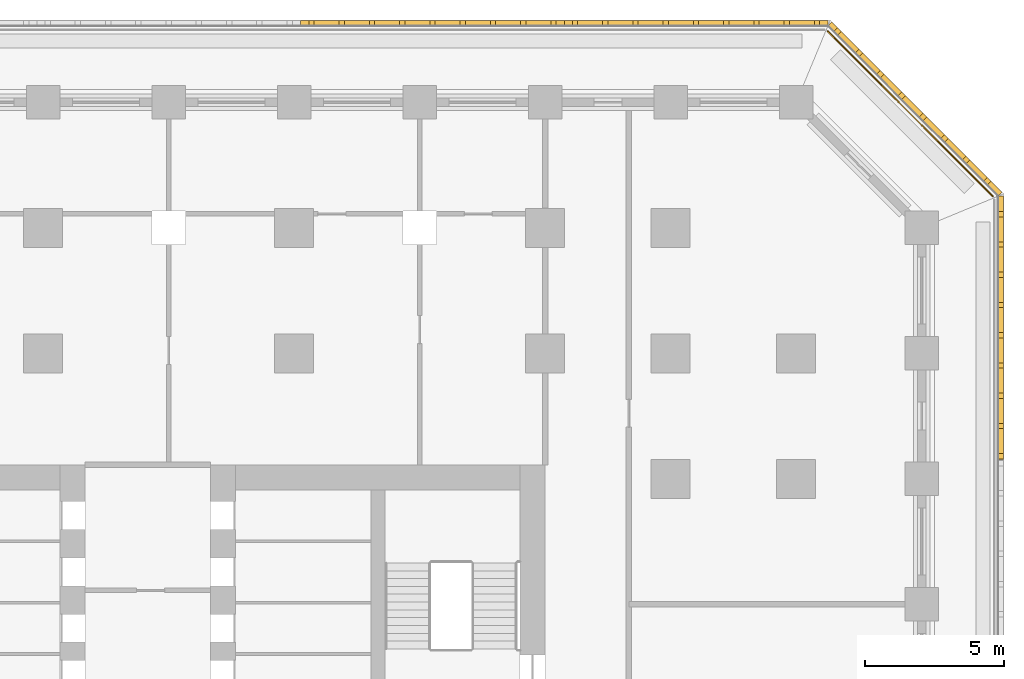
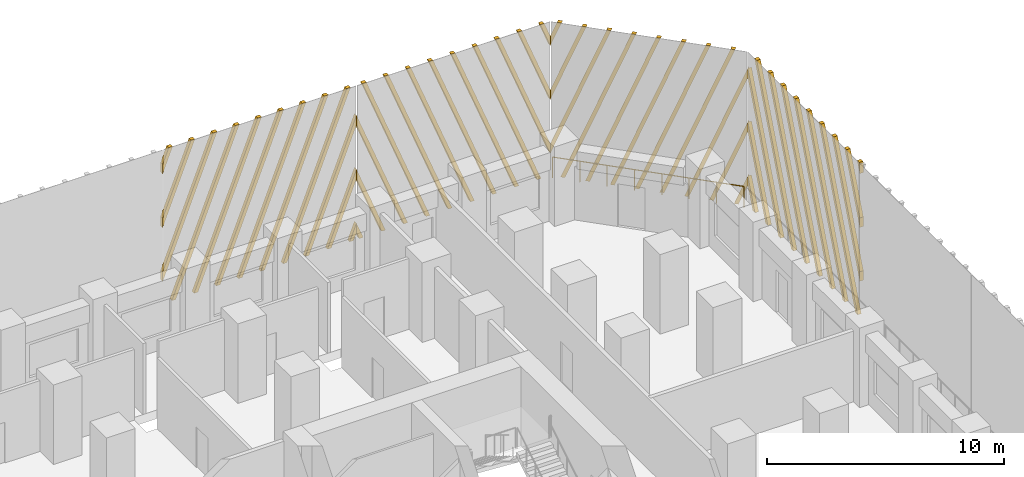
# One storey, part 18 of 19: 4 shading devices, 1 railing.
"""IFC4 building model written with IfcOpenShell, lengths in metres."""

import ifcopenshell
import ifcopenshell.guid

model = None  # the IFC model being written
_history = None  # IfcOwnerHistory: only IFC2X3 demands one
_inside = {}  # id of a spatial element -> (the spatial element, [elements in it])
_under = {}  # id of a project, library or spatial element -> (it, [spatial elements below it])
_declared = {}  # id of a project -> (the project, [libraries it declares])
_typed = {}  # id of a type object -> (the type object, [elements of that type])
_made_of = {}  # id of a material, layer set ... -> (it, [elements and type objects made of it])


def new_model(schema):
    """Start an empty IFC model of exactly this schema.

    Asked for "IFC4X3", IfcOpenShell would pick the latest addendum, in which some entities
    have other attributes; the version numbers below select the first issue.
    IFC2X3 requires an IfcOwnerHistory on every rooted entity: one is made here for all.
    """
    global model, _history
    if schema == "IFC4X3":
        model = ifcopenshell.file(schema_version=(4, 3, 0, 0))
    else:
        model = ifcopenshell.file(schema=schema)
    _inside.clear()
    _under.clear()
    _declared.clear()
    _typed.clear()
    _made_of.clear()
    _history = None
    if model.schema == "IFC2X3":
        org = make("IfcOrganization", Name="unknown")
        user = make(
            "IfcPersonAndOrganization",
            ThePerson=make("IfcPerson", FamilyName="unknown"),
            TheOrganization=org,
        )
        app = make(
            "IfcApplication",
            ApplicationDeveloper=org,
            Version="unknown",
            ApplicationFullName="unknown",
            ApplicationIdentifier="unknown",
        )
        _history = make(
            "IfcOwnerHistory",
            OwningUser=user,
            OwningApplication=app,
            ChangeAction="ADDED",
            CreationDate=0,
        )
    return model


def make(cls, **values):
    """One entity of the class cls with the attributes given. An attribute that is None is left unset."""
    return model.create_entity(
        cls, **{name: value for name, value in values.items() if value is not None}
    )


def rooted(cls, **values):
    """An entity with a GlobalId (a new one), such as an element, a storey or a relation."""
    return make(cls, GlobalId=ifcopenshell.guid.new(), OwnerHistory=_history, **values)


def si_unit(unit_type, name, prefix=None):
    """IfcSIUnit, for example si_unit("LENGTHUNIT", "METRE", prefix="MILLI")."""
    return make("IfcSIUnit", UnitType=unit_type, Prefix=prefix, Name=name)


def assignment(units):
    """IfcUnitAssignment: the units of a project."""
    return None if units is None else make("IfcUnitAssignment", Units=units)


def point(xyz):
    """IfcCartesianPoint."""
    return None if xyz is None else make("IfcCartesianPoint", Coordinates=xyz)


def direction(xyz):
    """IfcDirection."""
    return None if xyz is None else make("IfcDirection", DirectionRatios=xyz)


def frame(location, z_axis=None, x_axis=None):
    """IfcAxis2Placement3D, a coordinate frame: its origin and axes. An axis left out is left unset."""
    return make(
        "IfcAxis2Placement3D",
        Location=point(location),
        Axis=direction(z_axis),
        RefDirection=direction(x_axis),
    )


def frame_2d(location, x_axis=None):
    """IfcAxis2Placement2D, a coordinate frame in the plane: its origin and x axis."""
    return make(
        "IfcAxis2Placement2D", Location=point(location), RefDirection=direction(x_axis)
    )


def origin():
    """The frame at (0, 0, 0) with its axes left unset."""
    return frame((0.0, 0.0, 0.0))


def origin_2d():
    """The frame at (0, 0) in the plane with its x axis left unset."""
    return frame_2d((0.0, 0.0))


def place(relative_to, where):
    """IfcLocalPlacement: puts the frame where relative to a parent placement (None: the world)."""
    return make(
        "IfcLocalPlacement", PlacementRelTo=relative_to, RelativePlacement=where
    )


def context(
    kind, dimensions, precision=None, world=None, true_north=None, identifier=None
):
    """IfcGeometricRepresentationContext, for example the 3D "Model" context."""
    return make(
        "IfcGeometricRepresentationContext",
        ContextIdentifier=identifier,
        ContextType=kind,
        CoordinateSpaceDimension=dimensions,
        Precision=precision,
        WorldCoordinateSystem=world,
        TrueNorth=true_north,
    )


def subcontext(parent, identifier, kind, view, scale=None):
    """IfcGeometricRepresentationSubContext, for example "Body" below "Model"."""
    return make(
        "IfcGeometricRepresentationSubContext",
        ContextIdentifier=identifier,
        ContextType=kind,
        ParentContext=parent,
        TargetScale=scale,
        TargetView=view,
    )


def project(units=None, contexts=None):
    """IfcProject with its units and contexts."""
    return rooted(
        "IfcProject",
        Name="project",
        RepresentationContexts=contexts,
        UnitsInContext=assignment(units),
    )


def spatial(cls, under=None, at=None, **own):
    """A site, building, storey or space (cls), placed at a placement, below another one or the project."""
    s = rooted(cls, ObjectPlacement=at, **own)
    if under is not None:
        _under.setdefault(under.id(), (under, []))[1].append(s)
    return s


def polyline(points):
    """IfcPolyline through the points."""
    return make("IfcPolyline", Points=[point(p) for p in points])


def profile(cls, at=None, kind="AREA", **sizes):
    """A parametric profile (cls). Its sizes go by their IFC names, for example OverallWidth=200.0."""
    return make(cls, ProfileType=kind, Position=at, **sizes)


def circle(**sizes):
    """IfcCircleProfileDef."""
    return profile("IfcCircleProfileDef", **sizes)


def outline(outer, holes=None, kind="AREA"):
    """IfcArbitraryClosedProfileDef: a profile drawn as a closed curve; with holes, ...WithVoids."""
    if holes is None:
        return make("IfcArbitraryClosedProfileDef", ProfileType=kind, OuterCurve=outer)
    return make(
        "IfcArbitraryProfileDefWithVoids",
        ProfileType=kind,
        OuterCurve=outer,
        InnerCurves=holes,
    )


def extrude(swept, where, along, depth):
    """IfcExtrudedAreaSolid: the profile swept, set in the frame where, extruded along a direction by depth."""
    return make(
        "IfcExtrudedAreaSolid",
        SweptArea=swept,
        Position=where,
        ExtrudedDirection=direction(along),
        Depth=depth,
    )


def shape(context_of_items, identifier, shape_type, items):
    """IfcShapeRepresentation: the items that make up one representation, for example the "Body"."""
    return make(
        "IfcShapeRepresentation",
        ContextOfItems=context_of_items,
        RepresentationIdentifier=identifier,
        RepresentationType=shape_type,
        Items=items,
    )


def source(mapping_origin, context_of_items, identifier, shape_type, items):
    """IfcRepresentationMap: a shape defined once, which mapped items show again and again."""
    return make(
        "IfcRepresentationMap",
        MappingOrigin=mapping_origin,
        MappedRepresentation=shape(context_of_items, identifier, shape_type, items),
    )


def transform(
    local_origin,
    x_axis=None,
    y_axis=None,
    z_axis=None,
    scale=None,
    scale2=None,
    scale3=None,
    uniform=True,
):
    """IfcCartesianTransformationOperator3D, or its non-uniform kind. x_axis, y_axis, z_axis: its Axis1, 2, 3."""
    if uniform:
        return make(
            "IfcCartesianTransformationOperator3D",
            Axis1=direction(x_axis),
            Axis2=direction(y_axis),
            LocalOrigin=point(local_origin),
            Scale=scale,
            Axis3=direction(z_axis),
        )
    return make(
        "IfcCartesianTransformationOperator3DnonUniform",
        Axis1=direction(x_axis),
        Axis2=direction(y_axis),
        LocalOrigin=point(local_origin),
        Scale=scale,
        Axis3=direction(z_axis),
        Scale2=scale2,
        Scale3=scale3,
    )


def mapped(mapping_source, mapping_target):
    """IfcMappedItem: shows the shape of a source again, moved by a transform."""
    return make(
        "IfcMappedItem", MappingSource=mapping_source, MappingTarget=mapping_target
    )


def material(Name=None, Category=None):
    """IfcMaterial."""
    return make("IfcMaterial", Name=Name, Category=Category)


def made_of(thing, what):
    """Note that an element or type object is made of a material, layer set ...; save() writes the relation."""
    if what is not None:
        _made_of.setdefault(what.id(), (what, []))[1].append(thing)
    return thing


def type_object(cls, material=None, **own):
    """A type object (cls), such as IfcWallType, which elements share."""
    return made_of(rooted(cls, **own), material)


def element(
    cls,
    number,
    at=None,
    inside=None,
    cuts=None,
    type_object=None,
    material=None,
    context=None,
    identifier="Body",
    shape_type=None,
    held_by="IfcProductDefinitionShape",
    body=None,
    shapes=None,
    **own,
):
    """One element of the class cls, such as IfcWall. Its Tag is "e" and its number.

    at: its placement. inside: the storey or other place that contains it. cuts: it is an
    opening in that element (IfcRelVoidsElement). A single representation is given by context,
    identifier, shape_type and body (its items); several are given by shapes. held_by: the class
    of the entity that holds the representations. save() writes the other relations.
    """
    e = rooted(cls, Tag="e%d" % number, ObjectPlacement=at, **own)
    if body is not None:
        shapes = [shape(context, identifier, shape_type, body)]
    if shapes is not None:
        e.Representation = make(held_by, Representations=shapes)
    if inside is not None:
        _inside.setdefault(inside.id(), (inside, []))[1].append(e)
    if cuts is not None:
        rooted(
            "IfcRelVoidsElement", RelatingBuildingElement=cuts, RelatedOpeningElement=e
        )
    if type_object is not None:
        _typed.setdefault(type_object.id(), (type_object, []))[1].append(e)
    return made_of(e, material)


def aggregate(whole, parts):
    """IfcRelAggregates: a whole, such as a stair, and the parts it consists of."""
    return rooted("IfcRelAggregates", RelatingObject=whole, RelatedObjects=parts)


def save(model, path):
    """Write the relations noted so far, then the file.

    IfcRelAggregates (storeys below a building ...), IfcRelContainedInSpatialStructure (elements
    in a storey), IfcRelDefinesByType, IfcRelAssociatesMaterial and IfcRelDeclares: one each for
    every whole, place, type object, material and project.
    """
    for whole, parts in _under.values():
        aggregate(whole, parts)
    for where, things in _inside.values():
        rooted(
            "IfcRelContainedInSpatialStructure",
            RelatedElements=things,
            RelatingStructure=where,
        )
    for kind, things in _typed.values():
        rooted("IfcRelDefinesByType", RelatedObjects=things, RelatingType=kind)
    for what, things in _made_of.values():
        rooted("IfcRelAssociatesMaterial", RelatedObjects=things, RelatingMaterial=what)
    for by, libraries in _declared.values():
        rooted("IfcRelDeclares", RelatingContext=by, RelatedDefinitions=libraries)
    model.write(path)


model = new_model("IFC4")

# Units and contexts
model_context = context("Model", 3, precision=1e-05, world=origin(), true_north=direction((0.0, 1.0)))
body_context = subcontext(model_context, "Body", "Model", "MODEL_VIEW")
ifc_project = project(units=[si_unit("LENGTHUNIT", "METRE"), si_unit("AREAUNIT", "SQUARE_METRE"), si_unit("VOLUMEUNIT", "CUBIC_METRE"), si_unit("PLANEANGLEUNIT", "RADIAN"), si_unit("MASSUNIT", "GRAM", prefix="KILO")], contexts=[model_context])

# Site, building, storey
site_placement = place(None, origin())
site = spatial("IfcSite", under=ifc_project, at=site_placement, CompositionType="ELEMENT")
building_placement = place(site_placement, origin())
building = spatial("IfcBuilding", under=site, at=building_placement, Name="Corbel Stack Research Tower", CompositionType="ELEMENT")
storey_placement = place(building_placement, frame((0.0, 0.0, 82.0)))
storey = spatial("IfcBuildingStorey", under=building, at=storey_placement, Name="L18", CompositionType="ELEMENT", Elevation=82.0)

# Railing
ifc_material_1 = material(Name="Powder-coated steel guard", Category="steel")
railing_type = type_object("IfcRailingType", Name="Steel and glass guard 1100", PredefinedType="GUARDRAIL", material=ifc_material_1)
railing_placement = place(storey_placement, frame((34.04931640625, 28.127685546875, 0.0)))
element("IfcRailing", 1, at=railing_placement, inside=storey, type_object=railing_type, Name="Loggia guard L18 NE", PredefinedType="GUARDRAIL", context=body_context, shape_type="SweptSolid", body=[
    extrude(circle(Radius=0.02392578125, at=origin_2d()), frame((0.0, 0.0, 1.076171875), z_axis=(-0.707106781187, 0.707106781187, 0.0), x_axis=(-0.707106781187, -0.707106781187, 0.0)), (0.0, 0.0, 1.0), 8.37451171875),
    extrude(circle(Radius=0.02099609375, at=origin_2d()), origin(), (0.0, 0.0, 1.0), 1.052001953125),
    extrude(circle(Radius=0.02099609375, at=origin_2d()), frame((-0.845947265625, 0.845947265625, 0.0)), (0.0, 0.0, 1.0), 1.052001953125),
    extrude(circle(Radius=0.02099609375, at=origin_2d()), frame((-1.69189453125, 1.69189453125, 0.0)), (0.0, 0.0, 1.0), 1.052001953125),
    extrude(circle(Radius=0.02099609375, at=origin_2d()), frame((-2.537841796875, 2.537841796875, 0.0)), (0.0, 0.0, 1.0), 1.052001953125),
    extrude(circle(Radius=0.02099609375, at=origin_2d()), frame((-3.3837890625, 3.3837890625, 0.0)), (0.0, 0.0, 1.0), 1.052001953125),
    extrude(circle(Radius=0.02099609375, at=origin_2d()), frame((-4.229736328125, 4.229736328125, 0.0)), (0.0, 0.0, 1.0), 1.052001953125),
    extrude(circle(Radius=0.02099609375, at=origin_2d()), frame((-5.07568359375, 5.07568359375, 0.0)), (0.0, 0.0, 1.0), 1.052001953125),
    extrude(circle(Radius=0.02099609375, at=origin_2d()), frame((-5.921630859375, 5.921630859375, 0.0)), (0.0, 0.0, 1.0), 1.052001953125),
])

# Shading devices
ifc_material_2 = material(Name="Precast terracotta", Category="masonry")
shading_device_type = type_object("IfcShadingDeviceType", Name="Terracotta screen panel", PredefinedType="USERDEFINED", material=ifc_material_2)
shared_shape_1 = source(origin(), body_context, "Body", "SweptSolid", [
    extrude(outline(polyline([(0.217041015625, 7.949951171875), (0.027099609375, 7.949951171875), (0.0, 7.880859375), (0.0, 7.394287109375), (0.217041015625, 7.949951171875)])), frame((0.0, 0.0, 0.0), z_axis=(0.0, -1.0, 0.0), x_axis=(1.0, 0.0, 0.0)), (0.0, 0.0, 1.0), 0.179931640625),
    extrude(outline(polyline([(1.3017578125, 7.949951171875), (1.11181640625, 7.949951171875), (0.0, 5.103515625), (0.0, 4.616943359375), (1.3017578125, 7.949951171875)])), frame((0.0, 0.0, 0.0), z_axis=(0.0, -1.0, 0.0), x_axis=(1.0, 0.0, 0.0)), (0.0, 0.0, 1.0), 0.179931640625),
    extrude(outline(polyline([(2.386474609375, 7.949951171875), (2.1962890625, 7.949951171875), (0.0, 2.326171875), (0.0, 1.839599609375), (2.386474609375, 7.949951171875)])), frame((0.0, 0.0, 0.0), z_axis=(0.0, -1.0, 0.0), x_axis=(1.0, 0.0, 0.0)), (0.0, 0.0, 1.0), 0.179931640625),
    extrude(outline(polyline([(0.3662109375, 0.0), (3.470947265625, 7.949951171875), (3.281005859375, 7.949951171875), (0.17626953125, 0.0), (0.3662109375, 0.0)])), frame((0.0, 0.0, 0.0), z_axis=(0.0, -1.0, 0.0), x_axis=(1.0, 0.0, 0.0)), (0.0, 0.0, 1.0), 0.179931640625),
    extrude(outline(polyline([(1.45068359375, 0.0), (4.5556640625, 7.949951171875), (4.36572265625, 7.949951171875), (1.2607421875, 0.0), (1.45068359375, 0.0)])), frame((0.0, 0.0, 0.0), z_axis=(0.0, -1.0, 0.0), x_axis=(1.0, 0.0, 0.0)), (0.0, 0.0, 1.0), 0.179931640625),
    extrude(outline(polyline([(2.535400390625, 0.0), (5.640380859375, 7.949951171875), (5.4501953125, 7.949951171875), (2.345458984375, 0.0), (2.535400390625, 0.0)])), frame((0.0, 0.0, 0.0), z_axis=(0.0, -1.0, 0.0), x_axis=(1.0, 0.0, 0.0)), (0.0, 0.0, 1.0), 0.179931640625),
    extrude(outline(polyline([(3.6201171875, 0.0), (6.72509765625, 7.949951171875), (6.534912109375, 7.949951171875), (3.43017578125, 0.0), (3.6201171875, 0.0)])), frame((0.0, 0.0, 0.0), z_axis=(0.0, -1.0, 0.0), x_axis=(1.0, 0.0, 0.0)), (0.0, 0.0, 1.0), 0.179931640625),
    extrude(outline(polyline([(4.704833984375, 0.0), (7.809814453125, 7.949951171875), (7.61962890625, 7.949951171875), (4.514892578125, 0.0), (4.704833984375, 0.0)])), frame((0.0, 0.0, 0.0), z_axis=(0.0, -1.0, 0.0), x_axis=(1.0, 0.0, 0.0)), (0.0, 0.0, 1.0), 0.179931640625),
    extrude(outline(polyline([(5.78955078125, 0.0), (8.894287109375, 7.949951171875), (8.704345703125, 7.949951171875), (5.599609375, 0.0), (5.78955078125, 0.0)])), frame((0.0, 0.0, 0.0), z_axis=(0.0, -1.0, 0.0), x_axis=(1.0, 0.0, 0.0)), (0.0, 0.0, 1.0), 0.179931640625),
    extrude(outline(polyline([(6.874267578125, 0.0), (9.45556640625, 6.60986328125), (9.45556640625, 7.096435546875), (6.68408203125, 0.0), (6.874267578125, 0.0)])), frame((0.0, 0.0, 0.0), z_axis=(0.0, -1.0, 0.0), x_axis=(1.0, 0.0, 0.0)), (0.0, 0.0, 1.0), 0.179931640625),
    extrude(outline(polyline([(7.958740234375, 0.0), (9.45556640625, 3.83251953125), (9.45556640625, 4.319091796875), (7.768798828125, 0.0), (7.958740234375, 0.0)])), frame((0.0, 0.0, 0.0), z_axis=(0.0, -1.0, 0.0), x_axis=(1.0, 0.0, 0.0)), (0.0, 0.0, 1.0), 0.179931640625),
    extrude(outline(polyline([(9.04345703125, 0.0), (9.45556640625, 1.055419921875), (9.45556640625, 1.541748046875), (8.853515625, 0.0), (9.04345703125, 0.0)])), frame((0.0, 0.0, 0.0), z_axis=(0.0, -1.0, 0.0), x_axis=(1.0, 0.0, 0.0)), (0.0, 0.0, 1.0), 0.179931640625),
])
shading_device_1_placement = place(storey_placement, frame((34.25, 18.68359375, 0.0), z_axis=(0.0, 0.0, 1.0), x_axis=(0.0, 1.0, 0.0)))
element("IfcShadingDevice", 2, at=shading_device_1_placement, inside=storey, type_object=shading_device_type, Name="Terracotta screen L18 E5", ObjectType="SCREEN", PredefinedType="USERDEFINED", context=body_context, shape_type="MappedRepresentation", body=[
    mapped(shared_shape_1, transform((0.0, 0.0, 0.0))),
])
shared_shape_2 = source(origin(), body_context, "Body", "SweptSolid", [
    extrude(outline(polyline([(0.60205078125, 0.0), (0.0, 1.541748046875), (0.0, 1.055419921875), (0.412109375, 0.0), (0.60205078125, 0.0)])), frame((0.0, 0.0, 0.0), z_axis=(0.0, -1.0, 0.0), x_axis=(1.0, 0.0, 0.0)), (0.0, 0.0, 1.0), 0.179931640625),
    extrude(outline(polyline([(1.686767578125, 0.0), (0.0, 4.319091796875), (0.0, 3.83251953125), (1.496826171875, 0.0), (1.686767578125, 0.0)])), frame((0.0, 0.0, 0.0), z_axis=(0.0, -1.0, 0.0), x_axis=(1.0, 0.0, 0.0)), (0.0, 0.0, 1.0), 0.179931640625),
    extrude(outline(polyline([(2.771484375, 0.0), (0.0, 7.096435546875), (0.0, 6.60986328125), (2.58154296875, 0.0), (2.771484375, 0.0)])), frame((0.0, 0.0, 0.0), z_axis=(0.0, -1.0, 0.0), x_axis=(1.0, 0.0, 0.0)), (0.0, 0.0, 1.0), 0.179931640625),
    extrude(outline(polyline([(3.856201171875, 0.0), (0.751220703125, 7.949951171875), (0.561279296875, 7.949951171875), (3.666015625, 0.0), (3.856201171875, 0.0)])), frame((0.0, 0.0, 0.0), z_axis=(0.0, -1.0, 0.0), x_axis=(1.0, 0.0, 0.0)), (0.0, 0.0, 1.0), 0.179931640625),
    extrude(outline(polyline([(4.94091796875, 0.0), (1.8359375, 7.949951171875), (1.64599609375, 7.949951171875), (4.750732421875, 0.0), (4.94091796875, 0.0)])), frame((0.0, 0.0, 0.0), z_axis=(0.0, -1.0, 0.0), x_axis=(1.0, 0.0, 0.0)), (0.0, 0.0, 1.0), 0.179931640625),
    extrude(outline(polyline([(6.025390625, 0.0), (2.920654296875, 7.949951171875), (2.730712890625, 7.949951171875), (5.83544921875, 0.0), (6.025390625, 0.0)])), frame((0.0, 0.0, 0.0), z_axis=(0.0, -1.0, 0.0), x_axis=(1.0, 0.0, 0.0)), (0.0, 0.0, 1.0), 0.179931640625),
    extrude(outline(polyline([(7.110107421875, 0.0), (4.00537109375, 7.949951171875), (3.815185546875, 7.949951171875), (6.920166015625, 0.0), (7.110107421875, 0.0)])), frame((0.0, 0.0, 0.0), z_axis=(0.0, -1.0, 0.0), x_axis=(1.0, 0.0, 0.0)), (0.0, 0.0, 1.0), 0.179931640625),
    extrude(outline(polyline([(8.19482421875, 0.0), (5.090087890625, 7.949951171875), (4.89990234375, 7.949951171875), (8.0048828125, 0.0), (8.19482421875, 0.0)])), frame((0.0, 0.0, 0.0), z_axis=(0.0, -1.0, 0.0), x_axis=(1.0, 0.0, 0.0)), (0.0, 0.0, 1.0), 0.179931640625),
    extrude(outline(polyline([(6.174560546875, 7.949951171875), (5.984619140625, 7.949951171875), (8.64208984375, 1.1455078125), (8.64208984375, 1.6318359375), (6.174560546875, 7.949951171875)])), frame((0.0, 0.0, 0.0), z_axis=(0.0, -1.0, 0.0), x_axis=(1.0, 0.0, 0.0)), (0.0, 0.0, 1.0), 0.179931640625),
    extrude(outline(polyline([(7.25927734375, 7.949951171875), (7.0693359375, 7.949951171875), (8.64208984375, 3.922607421875), (8.64208984375, 4.4091796875), (7.25927734375, 7.949951171875)])), frame((0.0, 0.0, 0.0), z_axis=(0.0, -1.0, 0.0), x_axis=(1.0, 0.0, 0.0)), (0.0, 0.0, 1.0), 0.179931640625),
    extrude(outline(polyline([(8.343994140625, 7.949951171875), (8.15380859375, 7.949951171875), (8.64208984375, 6.699951171875), (8.64208984375, 7.1865234375), (8.343994140625, 7.949951171875)])), frame((0.0, 0.0, 0.0), z_axis=(0.0, -1.0, 0.0), x_axis=(1.0, 0.0, 0.0)), (0.0, 0.0, 1.0), 0.179931640625),
])
shading_device_2_placement = place(storey_placement, frame((34.25, 28.13916015625, 0.0), z_axis=(0.0, 0.0, 1.0), x_axis=(-0.707106781187, 0.707106781187, 0.0)))
element("IfcShadingDevice", 3, at=shading_device_2_placement, inside=storey, type_object=shading_device_type, Name="Terracotta screen L18 NE1", ObjectType="SCREEN", PredefinedType="USERDEFINED", context=body_context, shape_type="MappedRepresentation", body=[
    mapped(shared_shape_2, transform((0.0, 0.0, 0.0))),
])
shared_shape_3 = source(origin(), body_context, "Body", "SweptSolid", [
    extrude(outline(polyline([(0.48828125, 7.949951171875), (0.298095703125, 7.949951171875), (0.0, 7.1865234375), (0.0, 6.699951171875), (0.48828125, 7.949951171875)])), frame((0.0, 0.0, 0.0), z_axis=(0.0, -1.0, 0.0), x_axis=(1.0, 0.0, 0.0)), (0.0, 0.0, 1.0), 0.179931640625),
    extrude(outline(polyline([(1.572998046875, 7.949951171875), (1.3828125, 7.949951171875), (0.0, 4.4091796875), (0.0, 3.922607421875), (1.572998046875, 7.949951171875)])), frame((0.0, 0.0, 0.0), z_axis=(0.0, -1.0, 0.0), x_axis=(1.0, 0.0, 0.0)), (0.0, 0.0, 1.0), 0.179931640625),
    extrude(outline(polyline([(2.657470703125, 7.949951171875), (2.467529296875, 7.949951171875), (0.0, 1.6318359375), (0.0, 1.1455078125), (2.657470703125, 7.949951171875)])), frame((0.0, 0.0, 0.0), z_axis=(0.0, -1.0, 0.0), x_axis=(1.0, 0.0, 0.0)), (0.0, 0.0, 1.0), 0.179931640625),
    extrude(outline(polyline([(0.63720703125, 0.0), (3.7421875, 7.949951171875), (3.55224609375, 7.949951171875), (0.447265625, 0.0), (0.63720703125, 0.0)])), frame((0.0, 0.0, 0.0), z_axis=(0.0, -1.0, 0.0), x_axis=(1.0, 0.0, 0.0)), (0.0, 0.0, 1.0), 0.179931640625),
    extrude(outline(polyline([(1.721923828125, 0.0), (4.826904296875, 7.949951171875), (4.636962890625, 7.949951171875), (1.531982421875, 0.0), (1.721923828125, 0.0)])), frame((0.0, 0.0, 0.0), z_axis=(0.0, -1.0, 0.0), x_axis=(1.0, 0.0, 0.0)), (0.0, 0.0, 1.0), 0.179931640625),
    extrude(outline(polyline([(2.806640625, 0.0), (5.91162109375, 7.949951171875), (5.721435546875, 7.949951171875), (2.61669921875, 0.0), (2.806640625, 0.0)])), frame((0.0, 0.0, 0.0), z_axis=(0.0, -1.0, 0.0), x_axis=(1.0, 0.0, 0.0)), (0.0, 0.0, 1.0), 0.179931640625),
    extrude(outline(polyline([(3.891357421875, 0.0), (6.99609375, 7.949951171875), (6.80615234375, 7.949951171875), (3.701416015625, 0.0), (3.891357421875, 0.0)])), frame((0.0, 0.0, 0.0), z_axis=(0.0, -1.0, 0.0), x_axis=(1.0, 0.0, 0.0)), (0.0, 0.0, 1.0), 0.179931640625),
    extrude(outline(polyline([(4.97607421875, 0.0), (8.080810546875, 7.949951171875), (7.890869140625, 7.949951171875), (4.785888671875, 0.0), (4.97607421875, 0.0)])), frame((0.0, 0.0, 0.0), z_axis=(0.0, -1.0, 0.0), x_axis=(1.0, 0.0, 0.0)), (0.0, 0.0, 1.0), 0.179931640625),
    extrude(outline(polyline([(6.060791015625, 0.0), (9.16552734375, 7.949951171875), (8.9755859375, 7.949951171875), (5.87060546875, 0.0), (6.060791015625, 0.0)])), frame((0.0, 0.0, 0.0), z_axis=(0.0, -1.0, 0.0), x_axis=(1.0, 0.0, 0.0)), (0.0, 0.0, 1.0), 0.179931640625),
    extrude(outline(polyline([(7.145263671875, 0.0), (9.45556640625, 5.91552734375), (9.45556640625, 6.402099609375), (6.955322265625, 0.0), (7.145263671875, 0.0)])), frame((0.0, 0.0, 0.0), z_axis=(0.0, -1.0, 0.0), x_axis=(1.0, 0.0, 0.0)), (0.0, 0.0, 1.0), 0.179931640625),
    extrude(outline(polyline([(8.22998046875, 0.0), (9.45556640625, 3.13818359375), (9.45556640625, 3.624755859375), (8.0400390625, 0.0), (8.22998046875, 0.0)])), frame((0.0, 0.0, 0.0), z_axis=(0.0, -1.0, 0.0), x_axis=(1.0, 0.0, 0.0)), (0.0, 0.0, 1.0), 0.179931640625),
    extrude(outline(polyline([(9.314697265625, 0.0), (9.45556640625, 0.361083984375), (9.45556640625, 0.847412109375), (9.124755859375, 0.0), (9.314697265625, 0.0)])), frame((0.0, 0.0, 0.0), z_axis=(0.0, -1.0, 0.0), x_axis=(1.0, 0.0, 0.0)), (0.0, 0.0, 1.0), 0.179931640625),
])
shading_device_3_placement = place(storey_placement, frame((28.13916015625, 34.25, 0.0), z_axis=(0.0, 0.0, 1.0), x_axis=(-1.0, 0.0, 0.0)))
element("IfcShadingDevice", 4, at=shading_device_3_placement, inside=storey, type_object=shading_device_type, Name="Terracotta screen L18 N1", ObjectType="SCREEN", PredefinedType="USERDEFINED", context=body_context, shape_type="MappedRepresentation", body=[
    mapped(shared_shape_3, transform((0.0, 0.0, 0.0))),
])
shared_shape_4 = source(origin(), body_context, "Body", "SweptSolid", [
    extrude(outline(polyline([(0.3310546875, 0.0), (0.0, 0.847412109375), (0.0, 0.361083984375), (0.14111328125, 0.0), (0.3310546875, 0.0)])), frame((0.0, 0.0, 0.0), z_axis=(0.0, -1.0, 0.0), x_axis=(1.0, 0.0, 0.0)), (0.0, 0.0, 1.0), 0.179931640625),
    extrude(outline(polyline([(1.41552734375, 0.0), (0.0, 3.624755859375), (0.0, 3.13818359375), (1.2255859375, 0.0), (1.41552734375, 0.0)])), frame((0.0, 0.0, 0.0), z_axis=(0.0, -1.0, 0.0), x_axis=(1.0, 0.0, 0.0)), (0.0, 0.0, 1.0), 0.179931640625),
    extrude(outline(polyline([(2.500244140625, 0.0), (0.0, 6.402099609375), (0.0, 5.91552734375), (2.310302734375, 0.0), (2.500244140625, 0.0)])), frame((0.0, 0.0, 0.0), z_axis=(0.0, -1.0, 0.0), x_axis=(1.0, 0.0, 0.0)), (0.0, 0.0, 1.0), 0.179931640625),
    extrude(outline(polyline([(3.5849609375, 0.0), (0.47998046875, 7.949951171875), (0.2900390625, 7.949951171875), (3.39501953125, 0.0), (3.5849609375, 0.0)])), frame((0.0, 0.0, 0.0), z_axis=(0.0, -1.0, 0.0), x_axis=(1.0, 0.0, 0.0)), (0.0, 0.0, 1.0), 0.179931640625),
    extrude(outline(polyline([(4.669677734375, 0.0), (1.564697265625, 7.949951171875), (1.374755859375, 7.949951171875), (4.4794921875, 0.0), (4.669677734375, 0.0)])), frame((0.0, 0.0, 0.0), z_axis=(0.0, -1.0, 0.0), x_axis=(1.0, 0.0, 0.0)), (0.0, 0.0, 1.0), 0.179931640625),
    extrude(outline(polyline([(5.75439453125, 0.0), (2.6494140625, 7.949951171875), (2.45947265625, 7.949951171875), (5.564208984375, 0.0), (5.75439453125, 0.0)])), frame((0.0, 0.0, 0.0), z_axis=(0.0, -1.0, 0.0), x_axis=(1.0, 0.0, 0.0)), (0.0, 0.0, 1.0), 0.179931640625),
    extrude(outline(polyline([(6.839111328125, 0.0), (3.734130859375, 7.949951171875), (3.544189453125, 7.949951171875), (6.64892578125, 0.0), (6.839111328125, 0.0)])), frame((0.0, 0.0, 0.0), z_axis=(0.0, -1.0, 0.0), x_axis=(1.0, 0.0, 0.0)), (0.0, 0.0, 1.0), 0.179931640625),
    extrude(outline(polyline([(7.923583984375, 0.0), (4.81884765625, 7.949951171875), (4.62890625, 7.949951171875), (7.733642578125, 0.0), (7.923583984375, 0.0)])), frame((0.0, 0.0, 0.0), z_axis=(0.0, -1.0, 0.0), x_axis=(1.0, 0.0, 0.0)), (0.0, 0.0, 1.0), 0.179931640625),
    extrude(outline(polyline([(9.00830078125, 0.0), (5.903564453125, 7.949951171875), (5.71337890625, 7.949951171875), (8.818359375, 0.0), (9.00830078125, 0.0)])), frame((0.0, 0.0, 0.0), z_axis=(0.0, -1.0, 0.0), x_axis=(1.0, 0.0, 0.0)), (0.0, 0.0, 1.0), 0.179931640625),
    extrude(outline(polyline([(6.988037109375, 7.949951171875), (6.798095703125, 7.949951171875), (9.45556640625, 1.1455078125), (9.45556640625, 1.6318359375), (6.988037109375, 7.949951171875)])), frame((0.0, 0.0, 0.0), z_axis=(0.0, -1.0, 0.0), x_axis=(1.0, 0.0, 0.0)), (0.0, 0.0, 1.0), 0.179931640625),
    extrude(outline(polyline([(8.07275390625, 7.949951171875), (7.8828125, 7.949951171875), (9.45556640625, 3.922607421875), (9.45556640625, 4.4091796875), (8.07275390625, 7.949951171875)])), frame((0.0, 0.0, 0.0), z_axis=(0.0, -1.0, 0.0), x_axis=(1.0, 0.0, 0.0)), (0.0, 0.0, 1.0), 0.179931640625),
    extrude(outline(polyline([(9.157470703125, 7.949951171875), (8.96728515625, 7.949951171875), (9.45556640625, 6.699951171875), (9.45556640625, 7.1865234375), (9.157470703125, 7.949951171875)])), frame((0.0, 0.0, 0.0), z_axis=(0.0, -1.0, 0.0), x_axis=(1.0, 0.0, 0.0)), (0.0, 0.0, 1.0), 0.179931640625),
])
shading_device_4_placement = place(storey_placement, frame((18.68359375, 34.25, 0.0), z_axis=(0.0, 0.0, 1.0), x_axis=(-1.0, 0.0, 0.0)))
element("IfcShadingDevice", 5, at=shading_device_4_placement, inside=storey, type_object=shading_device_type, Name="Terracotta screen L18 N2", ObjectType="SCREEN", PredefinedType="USERDEFINED", context=body_context, shape_type="MappedRepresentation", body=[
    mapped(shared_shape_4, transform((0.0, 0.0, 0.0))),
])

save(model, "model.ifc")
